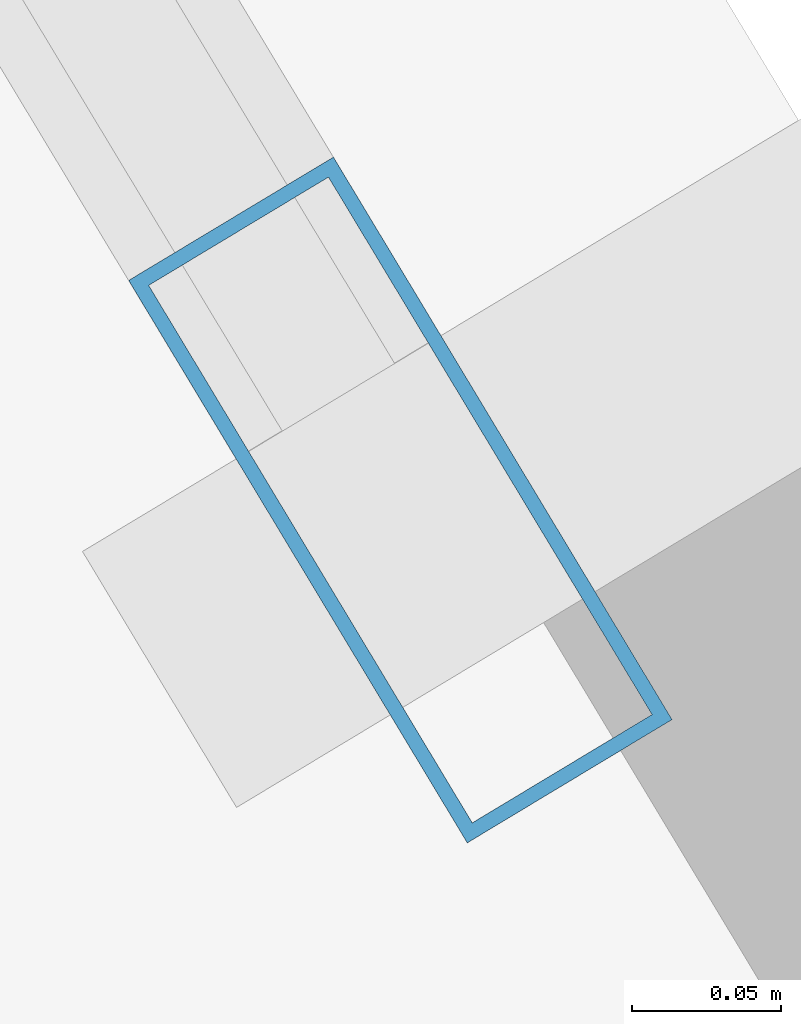
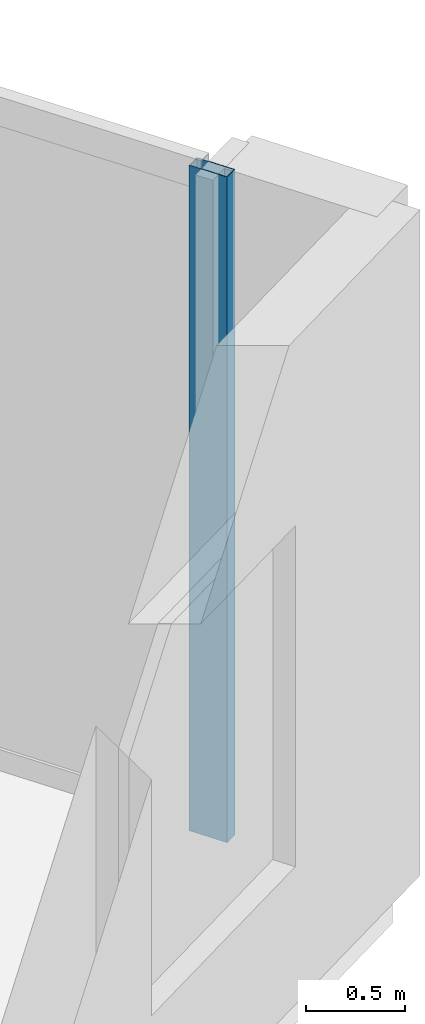
# One storey, part 21 of 30: 1 member, 1 element without a shape of its own.
"""IFC4 building model written with IfcOpenShell, lengths in metres."""

from ifc_helpers import new_model, si_unit, direction, frame, origin, origin_2d, place, context, subcontext, project, spatial, hollow_rectangle, extrude, material, material_profile, profile_set, type_object, element, aggregate, save


model = new_model("IFC4")

# Units and contexts
model_context = context("Model", 3, precision=1e-05, world=origin(), true_north=direction((0.0, 1.0)))
body_context = subcontext(model_context, "Body", "Model", "MODEL_VIEW")
ifc_project = project(units=[si_unit("LENGTHUNIT", "METRE"), si_unit("AREAUNIT", "SQUARE_METRE"), si_unit("VOLUMEUNIT", "CUBIC_METRE"), si_unit("PLANEANGLEUNIT", "RADIAN"), si_unit("MASSUNIT", "GRAM", prefix="KILO")], contexts=[model_context])

# Site, building, storey
site_placement = place(None, origin())
site = spatial("IfcSite", under=ifc_project, at=site_placement, CompositionType="ELEMENT")
building_placement = place(site_placement, origin())
building = spatial("IfcBuilding", under=site, at=building_placement, Name="Haldenkirk Collegiate Tower", CompositionType="ELEMENT")
storey_placement = place(building_placement, frame((0.0, 0.0, 131.699951171875)))
storey = spatial("IfcBuildingStorey", under=building, at=storey_placement, Name="L32", CompositionType="ELEMENT", Elevation=131.699951171875)

# Curtain wall, member
ifc_material = material(Name="Anodised architectural bronze aluminium", Category="aluminium")
curtain_wall_type = type_object("IfcCurtainWallType", Name="CW-SYS1-CONVEX-LOW", PredefinedType="USERDEFINED", material=ifc_material)
curtain_wall_placement = place(storey_placement, origin())
curtain_wall = element("IfcCurtainWall", 1, at=curtain_wall_placement, inside=storey, type_object=curtain_wall_type, Name="L32 Lower tower convex bronze-framed unitised curtain wall", ObjectType="UNITISED CURTAIN WALL", PredefinedType="USERDEFINED")
ifc_material_profile = material_profile(ifc_material, hollow_rectangle(XDim=0.080078125, YDim=0.219970703125, WallThickness=0.0048828125, at=origin_2d()), Name="CW-MUL-1A")
ifc_profile_set = profile_set([ifc_material_profile], Name="Anodised architectural bronze aluminium")
member_type = type_object("IfcMemberType", Name="CW-MUL-1A", PredefinedType="MULLION", material=ifc_profile_set)
member_placement = place(storey_placement, frame((67.853271484375, 22.666748046875, 0.0), z_axis=(0.0, 0.0, 1.0), x_axis=(0.856719120283, 0.51578323833, 0.0)))
member = element("IfcMember", 2, at=member_placement, type_object=member_type, Name="CW-1A mullion 5", PredefinedType="MULLION", context=body_context, shape_type="SweptSolid", body=[
    extrude(hollow_rectangle(XDim=0.080078125, YDim=0.219970703125, WallThickness=0.0048828125, at=origin_2d()), origin(), (0.0, 0.0, 1.0), 4.10009765625),
])
aggregate(curtain_wall, [member])

save(model, "model.ifc")
